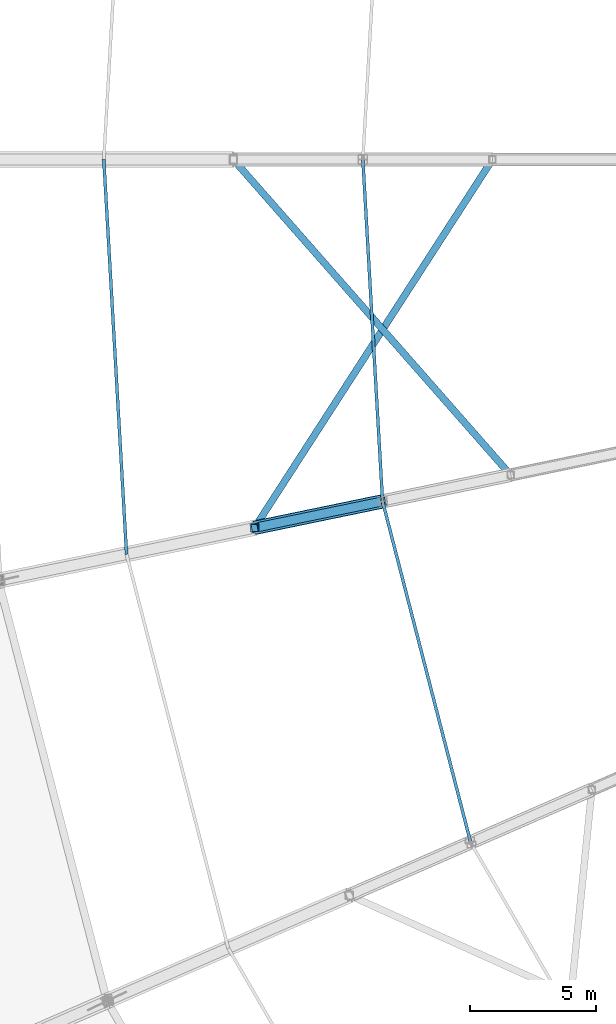
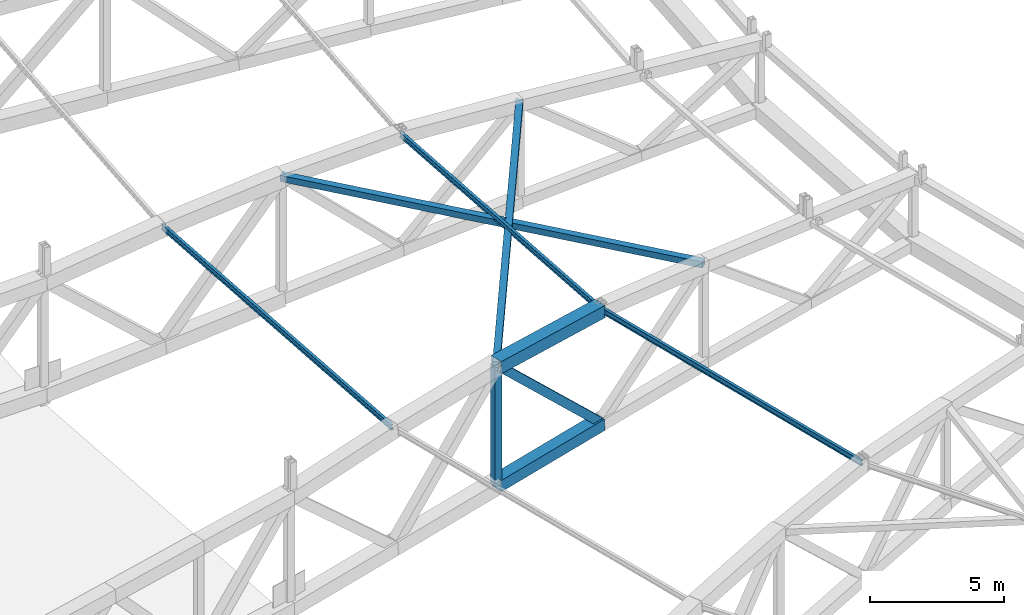
# One storey, part 37 of 162: 9 members.
"""IFC4 building model written with IfcOpenShell, lengths in metres."""

from ifc_helpers import new_model, si_unit, direction, frame, origin, origin_2d, place, context, subcontext, project, spatial, hollow_rectangle, i_section, extrude, material, material_profile, profile_set, type_object, element, save


model = new_model("IFC4")

# Units and contexts
model_context = context("Model", 3, precision=1e-05, world=origin(), true_north=direction((0.0, 1.0)))
body_context = subcontext(model_context, "Body", "Model", "MODEL_VIEW")
ifc_project = project(units=[si_unit("LENGTHUNIT", "METRE"), si_unit("AREAUNIT", "SQUARE_METRE"), si_unit("VOLUMEUNIT", "CUBIC_METRE"), si_unit("PLANEANGLEUNIT", "RADIAN"), si_unit("MASSUNIT", "GRAM", prefix="KILO")], contexts=[model_context])

# Site, building, storey
site_placement = place(None, origin())
site = spatial("IfcSite", under=ifc_project, at=site_placement, CompositionType="ELEMENT")
building_placement = place(site_placement, origin())
building = spatial("IfcBuilding", under=site, at=building_placement, Name="Kazemori Nagisa Stadium", CompositionType="ELEMENT")
storey_placement = place(building_placement, frame((0.0, 0.0, 36.719970703125)))
storey = spatial("IfcBuildingStorey", under=building, at=storey_placement, Name="RF", CompositionType="ELEMENT", Elevation=36.719970703125)

# Members
ifc_material_1 = material(Name="Steel STKR490", Category="steel")
ifc_material_profile_1 = material_profile(ifc_material_1, hollow_rectangle(XDim=0.280029296875, YDim=0.280029296875, WallThickness=0.010009765625, at=origin_2d()), Name="SHS-280x280x10")
ifc_profile_set_1 = profile_set([ifc_material_profile_1], Name="Steel STKR490")
member_type_1 = type_object("IfcMemberType", Name="Member_TB-SHS280", PredefinedType="BRACE", material=ifc_profile_set_1)
member_1_placement = place(storey_placement, frame((51.56005859375, 102.0, 6.679931640625), z_axis=(0.660150503649, -0.751018986831, -0.013107019138), x_axis=(0.751083505404, 0.660207215888, 0.0)))
element("IfcMember", 1, at=member_1_placement, inside=storey, type_object=member_type_1, Name="Roof space truss plan brace B15-1", PredefinedType="BRACE", context=body_context, shape_type="SweptSolid", body=[
    extrude(hollow_rectangle(XDim=0.280029296875, YDim=0.280029296875, WallThickness=0.010009765625, at=origin_2d()), origin(), (0.0, 0.0, 1.0), 16.633544921875),
])
member_2_placement = place(storey_placement, frame((52.401611328125, 87.412841796875, 6.666015625), z_axis=(0.542396110284, 0.84005456979, -0.010713511225), x_axis=(-0.840102784388, 0.542427240893, 0.0)))
element("IfcMember", 2, at=member_2_placement, inside=storey, type_object=member_type_1, Name="Roof space truss plan brace B15-2", PredefinedType="BRACE", context=body_context, shape_type="SweptSolid", body=[
    extrude(hollow_rectangle(XDim=0.280029296875, YDim=0.280029296875, WallThickness=0.010009765625, at=origin_2d()), origin(), (0.0, 0.0, 1.0), 17.364501953125),
])
ifc_material_profile_2 = material_profile(ifc_material_1, hollow_rectangle(XDim=0.360107421875, YDim=0.360107421875, WallThickness=0.013916015625, at=origin_2d()), Name="SHS-360x360x14")
ifc_profile_set_2 = profile_set([ifc_material_profile_2], Name="Steel STKR490")
member_type_2 = type_object("IfcMemberType", Name="Member_TB-SHS360", PredefinedType="BRACE", material=ifc_profile_set_2)
member_3_placement = place(storey_placement, frame((52.401611328125, 87.412841796875, 6.666015625), z_axis=(0.703447291595, 0.145364427076, -0.695723430171), x_axis=(-0.202370113198, 0.979309112224, 0.0)))
element("IfcMember", 3, at=member_3_placement, inside=storey, type_object=member_type_2, Name="Roof space truss diagonal RT-16-6", PredefinedType="BRACE", context=body_context, shape_type="SweptSolid", body=[
    extrude(hollow_rectangle(XDim=0.360107421875, YDim=0.360107421875, WallThickness=0.013916015625, at=origin_2d()), origin(), (0.0, 0.0, 1.0), 7.206787109375),
])
ifc_material_profile_3 = material_profile(ifc_material_1, hollow_rectangle(XDim=0.52001953125, YDim=0.52001953125, WallThickness=0.01904296875, at=origin_2d()), Name="SHS-520x520x19")
ifc_profile_set_3 = profile_set([ifc_material_profile_3], Name="Steel STKR490")
member_type_3 = type_object("IfcMemberType", Name="Member_TC-SHS520", PredefinedType="CHORD", material=ifc_profile_set_3)
member_4_placement = place(storey_placement, frame((52.401611328125, 87.412841796875, 1.255126953125), z_axis=(0.976442319239, 0.201777702473, 0.076460159455), x_axis=(-0.202370113198, 0.979309112224, 0.0)))
element("IfcMember", 4, at=member_4_placement, inside=storey, type_object=member_type_3, Name="Roof space truss bottom chord RT-16-6", PredefinedType="CHORD", context=body_context, shape_type="SweptSolid", body=[
    extrude(hollow_rectangle(XDim=0.52001953125, YDim=0.52001953125, WallThickness=0.01904296875, at=origin_2d()), origin(), (0.0, 0.0, 1.0), 5.19189453125),
])
ifc_material_profile_4 = material_profile(ifc_material_1, hollow_rectangle(XDim=0.56005859375, YDim=0.56005859375, WallThickness=0.02001953125, at=origin_2d()), Name="SHS-560x560x20")
ifc_profile_set_4 = profile_set([ifc_material_profile_4], Name="Steel STKR490")
member_type_4 = type_object("IfcMemberType", Name="Member_TC-SHS560", PredefinedType="CHORD", material=ifc_profile_set_4)
member_5_placement = place(storey_placement, frame((52.401611328125, 87.412841796875, 6.666015625), z_axis=(0.978919879891, 0.202289679972, 0.028191383972), x_axis=(-0.202370113198, 0.979309112224, 0.0)))
element("IfcMember", 5, at=member_5_placement, inside=storey, type_object=member_type_4, Name="Roof space truss top chord RT-16-6", PredefinedType="CHORD", context=body_context, shape_type="SweptSolid", body=[
    extrude(hollow_rectangle(XDim=0.56005859375, YDim=0.56005859375, WallThickness=0.02001953125, at=origin_2d()), origin(), (0.0, 0.0, 1.0), 5.1787109375),
])
ifc_material_2 = material(Name="Steel SN490B", Category="steel")
ifc_material_profile_5 = material_profile(ifc_material_2, i_section(OverallWidth=0.125, OverallDepth=0.25, WebThickness=0.006103515625, FlangeThickness=0.009033203125, FilletRadius=0.008056640625, at=origin_2d()), Name="H-250x125x6x9")
ifc_profile_set_5 = profile_set([ifc_material_profile_5], Name="Steel SN490B")
member_type_5 = type_object("IfcMemberType", Name="Member_TP-H250", PredefinedType="PURLIN", material=ifc_profile_set_5)
member_6_placement = place(storey_placement, frame((46.429931640625, 102.0, 6.22998046875), z_axis=(0.057603399978, -0.998339413049, -0.000514455264), x_axis=(0.998339545161, 0.057603407601, 0.0)))
element("IfcMember", 6, at=member_6_placement, inside=storey, type_object=member_type_5, Name="Roof purlin TP-H250 B15-P4", PredefinedType="PURLIN", context=body_context, shape_type="SweptSolid", body=[
    extrude(i_section(OverallWidth=0.125, OverallDepth=0.25, WebThickness=0.006103515625, FlangeThickness=0.009033203125, FilletRadius=0.008056640625, at=origin_2d()), origin(), (0.0, 0.0, 1.0), 15.66064453125),
])
member_7_placement = place(storey_placement, frame((56.68994140625, 102.0, 6.830078125), z_axis=(0.057605454983, -0.998338538271, -0.001332126146), x_axis=(0.998339424078, 0.057605506096, 0.0)))
element("IfcMember", 7, at=member_7_placement, inside=storey, type_object=member_type_5, Name="Roof purlin TP-H250 B15-P6", PredefinedType="PURLIN", context=body_context, shape_type="SweptSolid", body=[
    extrude(i_section(OverallWidth=0.125, OverallDepth=0.25, WebThickness=0.006103515625, FlangeThickness=0.009033203125, FilletRadius=0.008056640625, at=origin_2d()), origin(), (0.0, 0.0, 1.0), 13.56201171875),
])
member_8_placement = place(storey_placement, frame((57.47119140625, 88.46044921875, 6.81201171875), z_axis=(0.249959246576, -0.968248633713, -0.003867604389), x_axis=(0.968255875502, 0.249961116088, 0.0)))
element("IfcMember", 8, at=member_8_placement, inside=storey, type_object=member_type_5, Name="Roof purlin TP-H250 B16-P6", PredefinedType="PURLIN", context=body_context, shape_type="SweptSolid", body=[
    extrude(i_section(OverallWidth=0.125, OverallDepth=0.25, WebThickness=0.006103515625, FlangeThickness=0.009033203125, FilletRadius=0.008056640625, at=origin_2d()), origin(), (0.0, 0.0, 1.0), 13.950439453125),
])
ifc_material_profile_6 = material_profile(ifc_material_1, hollow_rectangle(XDim=0.320068359375, YDim=0.320068359375, WallThickness=0.011962890625, at=origin_2d()), Name="SHS-320x320x12")
ifc_profile_set_6 = profile_set([ifc_material_profile_6], Name="Steel STKR490")
member_type_6 = type_object("IfcMemberType", Name="Member_TS-SHS320", PredefinedType="STRUT", material=ifc_profile_set_6)
member_9_placement = place(storey_placement, frame((52.401611328125, 87.412841796875, 1.255126953125), z_axis=(0.0, 0.0, 1.0), x_axis=(1.0, 0.0, 0.0)))
element("IfcMember", 9, at=member_9_placement, inside=storey, type_object=member_type_6, Name="Roof space truss strut RT-16-6", PredefinedType="STRUT", context=body_context, shape_type="SweptSolid", body=[
    extrude(hollow_rectangle(XDim=0.320068359375, YDim=0.320068359375, WallThickness=0.011962890625, at=origin_2d()), origin(), (0.0, 0.0, 1.0), 5.410888671875),
])

save(model, "model.ifc")
